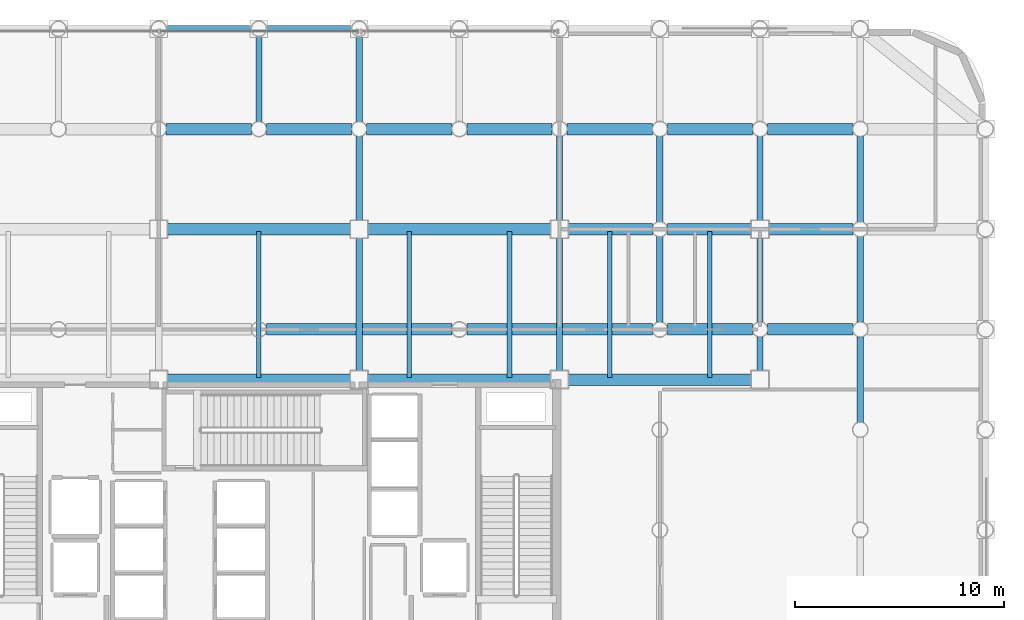
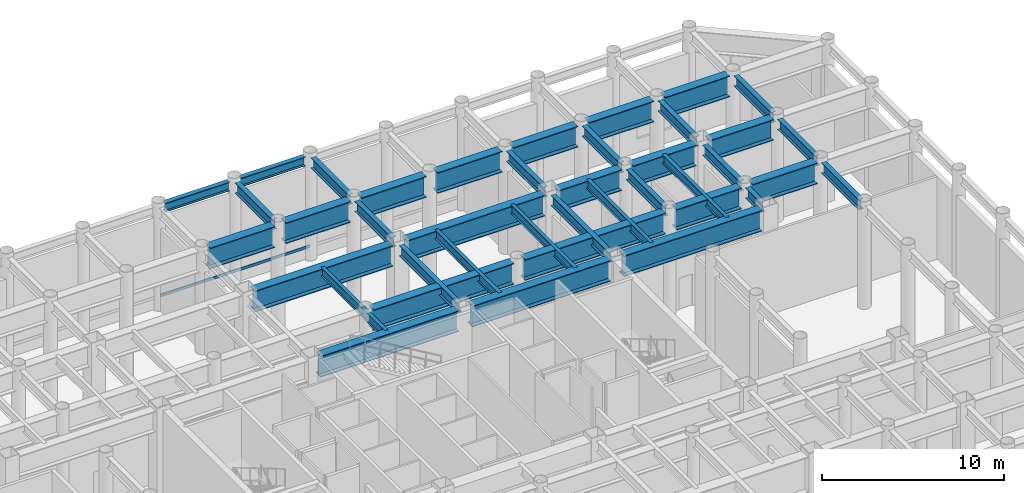
# One storey, part 11 of 23: 40 beams, 1 member, 1 element without a shape of its own.
"""IFC4 building model written with IfcOpenShell, lengths in metres."""

from ifc_helpers import new_model, si_unit, direction, frame, origin, origin_2d, place, context, subcontext, project, spatial, hollow_rectangle, i_section, extrude, material, layer, layer_set, material_profile, profile_set, type_object, element, aggregate, save


model = new_model("IFC4")

# Units and contexts
model_context = context("Model", 3, precision=1e-05, world=origin(), true_north=direction((0.0, 1.0)))
body_context = subcontext(model_context, "Body", "Model", "MODEL_VIEW")
ifc_project = project(units=[si_unit("LENGTHUNIT", "METRE"), si_unit("AREAUNIT", "SQUARE_METRE"), si_unit("VOLUMEUNIT", "CUBIC_METRE"), si_unit("PLANEANGLEUNIT", "RADIAN"), si_unit("MASSUNIT", "GRAM", prefix="KILO")], contexts=[model_context])

# Site, building, storey
site_placement = place(None, origin())
site = spatial("IfcSite", under=ifc_project, at=site_placement, CompositionType="ELEMENT")
building_placement = place(site_placement, origin())
building = spatial("IfcBuilding", under=site, at=building_placement, Name="Kallvorn Hotel Tower", CompositionType="ELEMENT")
storey_placement = place(building_placement, frame((0.0, 0.0, 12.0)))
storey = spatial("IfcBuildingStorey", under=building, at=storey_placement, Name="L02", CompositionType="ELEMENT", Elevation=12.0)

# Beams
ifc_material_1 = material(Name="Structural steel S355JR", Category="steel")
ifc_material_profile_1 = material_profile(ifc_material_1, i_section(OverallWidth=0.300048828125, OverallDepth=0.60009765625, WebThickness=0.015380859375, FlangeThickness=0.030029296875, at=origin_2d()), Name="HE 600 B")
ifc_profile_set_1 = profile_set([ifc_material_profile_1], Name="Structural steel S355JR")
beam_type_1 = type_object("IfcBeamType", Name="BM_HE600B", PredefinedType="SPANDREL", material=ifc_profile_set_1)
for number, where, z_axis, x_axis, name in (
    (1, (-4.428955078125, 24.0, 6.6201171875), (1.0, 0.0, 0.0), (0.0, 1.0, 0.0), "L03 Perimeter Spandrel 185"),
    (2, (0.37109375, 24.0, 6.6201171875), (1.0, 0.0, 0.0), (0.0, 1.0, 0.0), "L03 Perimeter Spandrel 186"),
):
    element("IfcBeam", number, at=place(storey_placement, frame(where, z_axis=z_axis, x_axis=x_axis)), inside=storey, type_object=beam_type_1, Name=name, PredefinedType="SPANDREL", context=body_context, shape_type="SweptSolid", body=[
        extrude(i_section(OverallWidth=0.300048828125, OverallDepth=0.60009765625, WebThickness=0.015380859375, FlangeThickness=0.030029296875, at=origin_2d()), origin(), (0.0, 0.0, 1.0), 4.057861328125),
    ])
ifc_material_2 = material(Name="Structural steel S355JR", Category="steel")
ifc_material_profile_2 = material_profile(ifc_material_2, i_section(OverallWidth=0.300048828125, OverallDepth=0.699951171875, WebThickness=0.01708984375, FlangeThickness=0.031982421875, at=origin_2d()), Name="HE 700 B")
ifc_profile_set_2 = profile_set([ifc_material_profile_2], Name="Structural steel S355JR")
beam_type_2 = type_object("IfcBeamType", Name="BM_HE700B", PredefinedType="BEAM", material=ifc_profile_set_2)
beam_1_placement = place(storey_placement, frame((0.0, 19.555908203125, 6.570068359375), z_axis=(0.0, 1.0, 0.0), x_axis=(-1.0, 0.0, 0.0)))
element("IfcBeam", 3, at=beam_1_placement, inside=storey, type_object=beam_type_2, Name="L03 Primary Y-Girder 124", PredefinedType="BEAM", context=body_context, shape_type="SweptSolid", body=[
    extrude(i_section(OverallWidth=0.300048828125, OverallDepth=0.699951171875, WebThickness=0.01708984375, FlangeThickness=0.031982421875, at=origin_2d()), origin(), (0.0, 0.0, 1.0), 4.088134765625),
])
beam_2_placement = place(storey_placement, frame((4.800048828125, 7.625, 6.570068359375), z_axis=(0.0, 1.0, 0.0), x_axis=(-1.0, 0.0, 0.0)))
element("IfcBeam", 4, at=beam_2_placement, inside=storey, type_object=beam_type_2, Name="L03 Primary Y-Girder 127", PredefinedType="BEAM", context=body_context, shape_type="SweptSolid", body=[
    extrude(i_section(OverallWidth=0.300048828125, OverallDepth=0.699951171875, WebThickness=0.01708984375, FlangeThickness=0.031982421875, at=origin_2d()), origin(), (0.0, 0.0, 1.0), 6.35009765625),
])
beam_3_placement = place(storey_placement, frame((4.800048828125, 14.824951171875, 6.570068359375), z_axis=(0.0, 1.0, 0.0), x_axis=(-1.0, 0.0, 0.0)))
element("IfcBeam", 5, at=beam_3_placement, inside=storey, type_object=beam_type_2, Name="L03 Primary Y-Girder 128", PredefinedType="BEAM", context=body_context, shape_type="SweptSolid", body=[
    extrude(i_section(OverallWidth=0.300048828125, OverallDepth=0.699951171875, WebThickness=0.01708984375, FlangeThickness=0.031982421875, at=origin_2d()), origin(), (0.0, 0.0, 1.0), 4.01904296875),
])
beam_4_placement = place(storey_placement, frame((4.800048828125, 19.555908203125, 6.570068359375), z_axis=(0.0, 1.0, 0.0), x_axis=(-1.0, 0.0, 0.0)))
element("IfcBeam", 6, at=beam_4_placement, inside=storey, type_object=beam_type_2, Name="L03 Primary Y-Girder 129", PredefinedType="BEAM", context=body_context, shape_type="SweptSolid", body=[
    extrude(i_section(OverallWidth=0.300048828125, OverallDepth=0.699951171875, WebThickness=0.01708984375, FlangeThickness=0.031982421875, at=origin_2d()), origin(), (0.0, 0.0, 1.0), 4.088134765625),
])
beam_5_placement = place(storey_placement, frame((14.39990234375, 7.625, 6.570068359375), z_axis=(0.0, 1.0, 0.0), x_axis=(-1.0, 0.0, 0.0)))
element("IfcBeam", 7, at=beam_5_placement, inside=storey, type_object=beam_type_2, Name="L03 Primary Y-Girder 137", PredefinedType="BEAM", context=body_context, shape_type="SweptSolid", body=[
    extrude(i_section(OverallWidth=0.300048828125, OverallDepth=0.699951171875, WebThickness=0.01708984375, FlangeThickness=0.031982421875, at=origin_2d()), origin(), (0.0, 0.0, 1.0), 6.35009765625),
])
beam_6_placement = place(storey_placement, frame((14.39990234375, 14.824951171875, 6.570068359375), z_axis=(0.0, 1.0, 0.0), x_axis=(-1.0, 0.0, 0.0)))
element("IfcBeam", 8, at=beam_6_placement, inside=storey, type_object=beam_type_2, Name="L03 Primary Y-Girder 138", PredefinedType="BEAM", context=body_context, shape_type="SweptSolid", body=[
    extrude(i_section(OverallWidth=0.300048828125, OverallDepth=0.699951171875, WebThickness=0.01708984375, FlangeThickness=0.031982421875, at=origin_2d()), origin(), (0.0, 0.0, 1.0), 4.01904296875),
])
for number, where, z_axis, x_axis, name in (
    (9, (19.199951171875, 9.9560546875, 6.570068359375), (0.0, 1.0, 0.0), (-1.0, 0.0, 0.0), "L03 Primary Y-Girder 147"),
    (10, (19.199951171875, 14.756103515625, 6.570068359375), (0.0, 1.0, 0.0), (-1.0, 0.0, 0.0), "L03 Primary Y-Girder 148"),
):
    element("IfcBeam", number, at=place(storey_placement, frame(where, z_axis=z_axis, x_axis=x_axis)), inside=storey, type_object=beam_type_2, Name=name, PredefinedType="BEAM", context=body_context, shape_type="SweptSolid", body=[
        extrude(i_section(OverallWidth=0.300048828125, OverallDepth=0.699951171875, WebThickness=0.01708984375, FlangeThickness=0.031982421875, at=origin_2d()), origin(), (0.0, 0.0, 1.0), 4.087890625),
    ])
beam_7_placement = place(storey_placement, frame((24.0, 7.625, 6.570068359375), z_axis=(0.0, 1.0, 0.0), x_axis=(-1.0, 0.0, 0.0)))
element("IfcBeam", 11, at=beam_7_placement, inside=storey, type_object=beam_type_2, Name="L03 Primary Y-Girder 154", PredefinedType="BEAM", context=body_context, shape_type="SweptSolid", body=[
    extrude(i_section(OverallWidth=0.300048828125, OverallDepth=0.699951171875, WebThickness=0.01708984375, FlangeThickness=0.031982421875, at=origin_2d()), origin(), (0.0, 0.0, 1.0), 1.618896484375),
])
for number, where, z_axis, x_axis, name in (
    (12, (24.0, 9.9560546875, 6.570068359375), (0.0, 1.0, 0.0), (-1.0, 0.0, 0.0), "L03 Primary Y-Girder 155"),
    (13, (24.0, 14.824951171875, 6.570068359375), (0.0, 1.0, 0.0), (-1.0, 0.0, 0.0), "L03 Primary Y-Girder 156"),
):
    element("IfcBeam", number, at=place(storey_placement, frame(where, z_axis=z_axis, x_axis=x_axis)), inside=storey, type_object=beam_type_2, Name=name, PredefinedType="BEAM", context=body_context, shape_type="SweptSolid", body=[
        extrude(i_section(OverallWidth=0.300048828125, OverallDepth=0.699951171875, WebThickness=0.01708984375, FlangeThickness=0.031982421875, at=origin_2d()), origin(), (0.0, 0.0, 1.0), 4.01904296875),
    ])
for number, where, z_axis, x_axis, name in (
    (14, (28.800048828125, 5.156005859375, 6.570068359375), (0.0, 1.0, 0.0), (-1.0, 0.0, 0.0), "L03 Primary Y-Girder 164"),
    (15, (28.800048828125, 9.9560546875, 6.570068359375), (0.0, 1.0, 0.0), (-1.0, 0.0, 0.0), "L03 Primary Y-Girder 165"),
    (16, (28.800048828125, 14.756103515625, 6.570068359375), (0.0, 1.0, 0.0), (-1.0, 0.0, 0.0), "L03 Primary Y-Girder 166"),
):
    element("IfcBeam", number, at=place(storey_placement, frame(where, z_axis=z_axis, x_axis=x_axis)), inside=storey, type_object=beam_type_2, Name=name, PredefinedType="BEAM", context=body_context, shape_type="SweptSolid", body=[
        extrude(i_section(OverallWidth=0.300048828125, OverallDepth=0.699951171875, WebThickness=0.01708984375, FlangeThickness=0.031982421875, at=origin_2d()), origin(), (0.0, 0.0, 1.0), 4.087890625),
    ])
ifc_material_3 = material(Name="Structural steel S355JR", Category="steel")
ifc_material_profile_3 = material_profile(ifc_material_3, i_section(OverallWidth=0.219970703125, OverallDepth=0.60009765625, WebThickness=0.011962890625, FlangeThickness=0.01904296875, at=origin_2d()), Name="IPE 600")
ifc_profile_set_3 = profile_set([ifc_material_profile_3], Name="Structural steel S355JR")
beam_type_3 = type_object("IfcBeamType", Name="BM_IPE600", PredefinedType="JOIST", material=ifc_profile_set_3)
for number, where, z_axis, x_axis, name in (
    (17, (0.0, 7.300048828125, 6.6201171875), (0.0, 1.0, 0.0), (-1.0, 0.0, 0.0), "L03 Secondary Composite Joist 221"),
    (18, (7.199951171875, 7.300048828125, 6.6201171875), (0.0, 1.0, 0.0), (-1.0, 0.0, 0.0), "L03 Secondary Composite Joist 223"),
    (19, (12.0, 7.300048828125, 6.6201171875), (0.0, 1.0, 0.0), (-1.0, 0.0, 0.0), "L03 Secondary Composite Joist 225"),
    (20, (16.800048828125, 7.300048828125, 6.6201171875), (0.0, 1.0, 0.0), (-1.0, 0.0, 0.0), "L03 Secondary Composite Joist 227"),
    (21, (21.60009765625, 7.300048828125, 6.6201171875), (0.0, 1.0, 0.0), (-1.0, 0.0, 0.0), "L03 Secondary Composite Joist 229"),
):
    element("IfcBeam", number, at=place(storey_placement, frame(where, z_axis=z_axis, x_axis=x_axis)), inside=storey, type_object=beam_type_3, Name=name, PredefinedType="JOIST", context=body_context, shape_type="SweptSolid", body=[
        extrude(i_section(OverallWidth=0.219970703125, OverallDepth=0.60009765625, WebThickness=0.011962890625, FlangeThickness=0.01904296875, at=origin_2d()), origin(), (0.0, 0.0, 1.0), 7.0),
    ])
ifc_material_4 = material(Name="Structural steel S355JR", Category="steel")
ifc_material_profile_4 = material_profile(ifc_material_4, i_section(OverallWidth=0.550048828125, OverallDepth=1.39990234375, WebThickness=0.02490234375, FlangeThickness=0.044921875, at=origin_2d()), Name="PG 1400x550x25x45")
ifc_profile_set_4 = profile_set([ifc_material_profile_4], Name="Structural steel S355JR")
beam_type_4 = type_object("IfcBeamType", Name="BM_PG_1400", PredefinedType="BEAM", material=ifc_profile_set_4)
for number, where, z_axis, x_axis, name in (
    (22, (-4.375, 7.199951171875, 6.219970703125), (1.0, 0.0, 0.0), (0.0, 1.0, 0.0), "L03 Primary X-Girder 40"),
    (23, (5.22509765625, 7.199951171875, 6.219970703125), (1.0, 0.0, 0.0), (0.0, 1.0, 0.0), "L03 Primary X-Girder 41"),
    (24, (14.824951171875, 7.199951171875, 6.219970703125), (1.0, 0.0, 0.0), (0.0, 1.0, 0.0), "L03 Primary X-Girder 42"),
):
    element("IfcBeam", number, at=place(storey_placement, frame(where, z_axis=z_axis, x_axis=x_axis)), inside=storey, type_object=beam_type_4, Name=name, PredefinedType="BEAM", context=body_context, shape_type="SweptSolid", body=[
        extrude(i_section(OverallWidth=0.550048828125, OverallDepth=1.39990234375, WebThickness=0.02490234375, FlangeThickness=0.044921875, at=origin_2d()), origin(), (0.0, 0.0, 1.0), 8.75),
    ])
for number, where, z_axis, x_axis, name in (
    (25, (0.35595703125, 9.60009765625, 6.219970703125), (1.0, 0.0, 0.0), (0.0, 1.0, 0.0), "L03 Primary X-Girder 48"),
    (26, (9.9560546875, 9.60009765625, 6.219970703125), (1.0, 0.0, 0.0), (0.0, 1.0, 0.0), "L03 Primary X-Girder 49"),
):
    element("IfcBeam", number, at=place(storey_placement, frame(where, z_axis=z_axis, x_axis=x_axis)), inside=storey, type_object=beam_type_4, Name=name, PredefinedType="BEAM", context=body_context, shape_type="SweptSolid", body=[
        extrude(i_section(OverallWidth=0.550048828125, OverallDepth=1.39990234375, WebThickness=0.02490234375, FlangeThickness=0.044921875, at=origin_2d()), origin(), (0.0, 0.0, 1.0), 8.887939453125),
    ])
for number, where, z_axis, x_axis, name in (
    (27, (19.555908203125, 9.60009765625, 6.219970703125), (1.0, 0.0, 0.0), (0.0, 1.0, 0.0), "L03 Primary X-Girder 50"),
    (28, (24.35595703125, 9.60009765625, 6.219970703125), (1.0, 0.0, 0.0), (0.0, 1.0, 0.0), "L03 Primary X-Girder 51"),
):
    element("IfcBeam", number, at=place(storey_placement, frame(where, z_axis=z_axis, x_axis=x_axis)), inside=storey, type_object=beam_type_4, Name=name, PredefinedType="BEAM", context=body_context, shape_type="SweptSolid", body=[
        extrude(i_section(OverallWidth=0.550048828125, OverallDepth=1.39990234375, WebThickness=0.02490234375, FlangeThickness=0.044921875, at=origin_2d()), origin(), (0.0, 0.0, 1.0), 4.088134765625),
    ])
for number, where, z_axis, x_axis, name in (
    (29, (-4.375, 14.39990234375, 6.219970703125), (1.0, 0.0, 0.0), (0.0, 1.0, 0.0), "L03 Primary X-Girder 58"),
    (30, (5.22509765625, 14.39990234375, 6.219970703125), (1.0, 0.0, 0.0), (0.0, 1.0, 0.0), "L03 Primary X-Girder 59"),
):
    element("IfcBeam", number, at=place(storey_placement, frame(where, z_axis=z_axis, x_axis=x_axis)), inside=storey, type_object=beam_type_4, Name=name, PredefinedType="BEAM", context=body_context, shape_type="SweptSolid", body=[
        extrude(i_section(OverallWidth=0.550048828125, OverallDepth=1.39990234375, WebThickness=0.02490234375, FlangeThickness=0.044921875, at=origin_2d()), origin(), (0.0, 0.0, 1.0), 8.75),
    ])
for number, where, z_axis, x_axis, name in (
    (31, (14.824951171875, 14.39990234375, 6.219970703125), (1.0, 0.0, 0.0), (0.0, 1.0, 0.0), "L03 Primary X-Girder 60"),
    (32, (19.555908203125, 14.39990234375, 6.219970703125), (1.0, 0.0, 0.0), (0.0, 1.0, 0.0), "L03 Primary X-Girder 61"),
    (33, (24.425048828125, 14.39990234375, 6.219970703125), (1.0, 0.0, 0.0), (0.0, 1.0, 0.0), "L03 Primary X-Girder 62"),
):
    element("IfcBeam", number, at=place(storey_placement, frame(where, z_axis=z_axis, x_axis=x_axis)), inside=storey, type_object=beam_type_4, Name=name, PredefinedType="BEAM", context=body_context, shape_type="SweptSolid", body=[
        extrude(i_section(OverallWidth=0.550048828125, OverallDepth=1.39990234375, WebThickness=0.02490234375, FlangeThickness=0.044921875, at=origin_2d()), origin(), (0.0, 0.0, 1.0), 4.01904296875),
    ])
for number, where, z_axis, x_axis, name in (
    (34, (-4.444091796875, 19.199951171875, 6.219970703125), (1.0, 0.0, 0.0), (0.0, 1.0, 0.0), "L03 Primary X-Girder 70"),
    (35, (0.35595703125, 19.199951171875, 6.219970703125), (1.0, 0.0, 0.0), (0.0, 1.0, 0.0), "L03 Primary X-Girder 71"),
):
    element("IfcBeam", number, at=place(storey_placement, frame(where, z_axis=z_axis, x_axis=x_axis)), inside=storey, type_object=beam_type_4, Name=name, PredefinedType="BEAM", context=body_context, shape_type="SweptSolid", body=[
        extrude(i_section(OverallWidth=0.550048828125, OverallDepth=1.39990234375, WebThickness=0.02490234375, FlangeThickness=0.044921875, at=origin_2d()), origin(), (0.0, 0.0, 1.0), 4.088134765625),
    ])
for number, where, z_axis, x_axis, name in (
    (36, (5.156005859375, 19.199951171875, 6.219970703125), (1.0, 0.0, 0.0), (0.0, 1.0, 0.0), "L03 Primary X-Girder 72"),
    (37, (9.9560546875, 19.199951171875, 6.219970703125), (1.0, 0.0, 0.0), (0.0, 1.0, 0.0), "L03 Primary X-Girder 73"),
    (38, (14.756103515625, 19.199951171875, 6.219970703125), (1.0, 0.0, 0.0), (0.0, 1.0, 0.0), "L03 Primary X-Girder 74"),
):
    element("IfcBeam", number, at=place(storey_placement, frame(where, z_axis=z_axis, x_axis=x_axis)), inside=storey, type_object=beam_type_4, Name=name, PredefinedType="BEAM", context=body_context, shape_type="SweptSolid", body=[
        extrude(i_section(OverallWidth=0.550048828125, OverallDepth=1.39990234375, WebThickness=0.02490234375, FlangeThickness=0.044921875, at=origin_2d()), origin(), (0.0, 0.0, 1.0), 4.087890625),
    ])
for number, where, z_axis, x_axis, name in (
    (39, (19.555908203125, 19.199951171875, 6.219970703125), (1.0, 0.0, 0.0), (0.0, 1.0, 0.0), "L03 Primary X-Girder 75"),
    (40, (24.35595703125, 19.199951171875, 6.219970703125), (1.0, 0.0, 0.0), (0.0, 1.0, 0.0), "L03 Primary X-Girder 76"),
):
    element("IfcBeam", number, at=place(storey_placement, frame(where, z_axis=z_axis, x_axis=x_axis)), inside=storey, type_object=beam_type_4, Name=name, PredefinedType="BEAM", context=body_context, shape_type="SweptSolid", body=[
        extrude(i_section(OverallWidth=0.550048828125, OverallDepth=1.39990234375, WebThickness=0.02490234375, FlangeThickness=0.044921875, at=origin_2d()), origin(), (0.0, 0.0, 1.0), 4.088134765625),
    ])

# Curtain wall, member
ifc_material_5 = material(Name="Thermally broken black-anodised aluminium AA 6063-T6", Category="aluminium")
ifc_layer = layer(ifc_material_5, 0.219970703125)
ifc_layer_set = layer_set([ifc_layer], Name="CW_SYS_2_PODIUM_CASC")
curtain_wall_type = type_object("IfcCurtainWallType", Name="CW_SYS_2_PODIUM_CASC", PredefinedType="USERDEFINED", material=ifc_layer_set)
curtain_wall_placement = place(storey_placement, origin())
curtain_wall = element("IfcCurtainWall", 41, at=curtain_wall_placement, inside=storey, type_object=curtain_wall_type, Name="L02 Dark-Glass Curtain Wall CW-L02-N2", ObjectType="UNITISED CURTAIN WALL", PredefinedType="USERDEFINED")
ifc_material_6 = material(Name="Thermally broken black-anodised aluminium AA 6063-T6", Category="aluminium")
ifc_material_profile_5 = material_profile(ifc_material_6, hollow_rectangle(XDim=0.070068359375, YDim=0.179931640625, WallThickness=0.00390625, at=origin_2d()), Name="TRN 180x70")
ifc_profile_set_5 = profile_set([ifc_material_profile_5], Name="Thermally broken black-anodised aluminium AA 6063-T6")
member_type = type_object("IfcMemberType", Name="CW_TRANSOM_180x70", PredefinedType="USERDEFINED", material=ifc_profile_set_5)
member_placement = place(storey_placement, frame((-4.7099609375, 23.8798828125, 0.85009765625), z_axis=(1.0, 0.0, 0.0), x_axis=(0.0, 1.0, 0.0)))
member = element("IfcMember", 42, at=member_placement, type_object=member_type, Name="CW-L02-N2 Transom 00M", ObjectType="TRANSOM", PredefinedType="USERDEFINED", context=body_context, shape_type="SweptSolid", body=[
    extrude(hollow_rectangle(XDim=0.070068359375, YDim=0.179931640625, WallThickness=0.00390625, at=origin_2d()), origin(), (0.0, 0.0, 1.0), 9.419921875),
])
aggregate(curtain_wall, [member])

save(model, "model.ifc")
